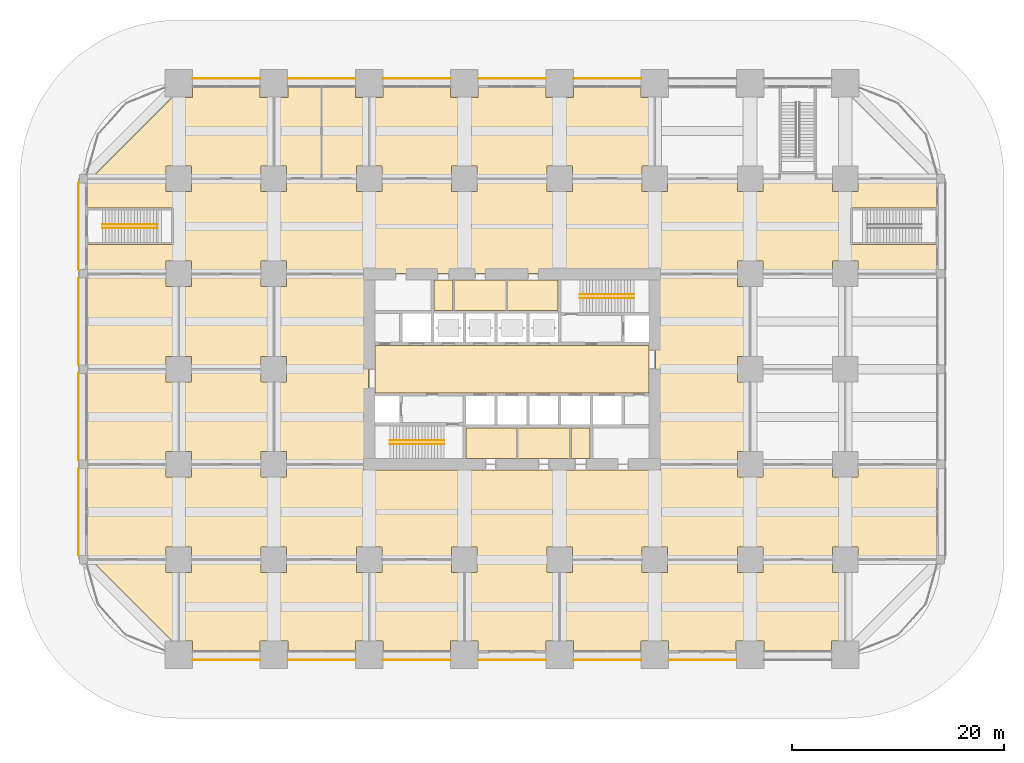
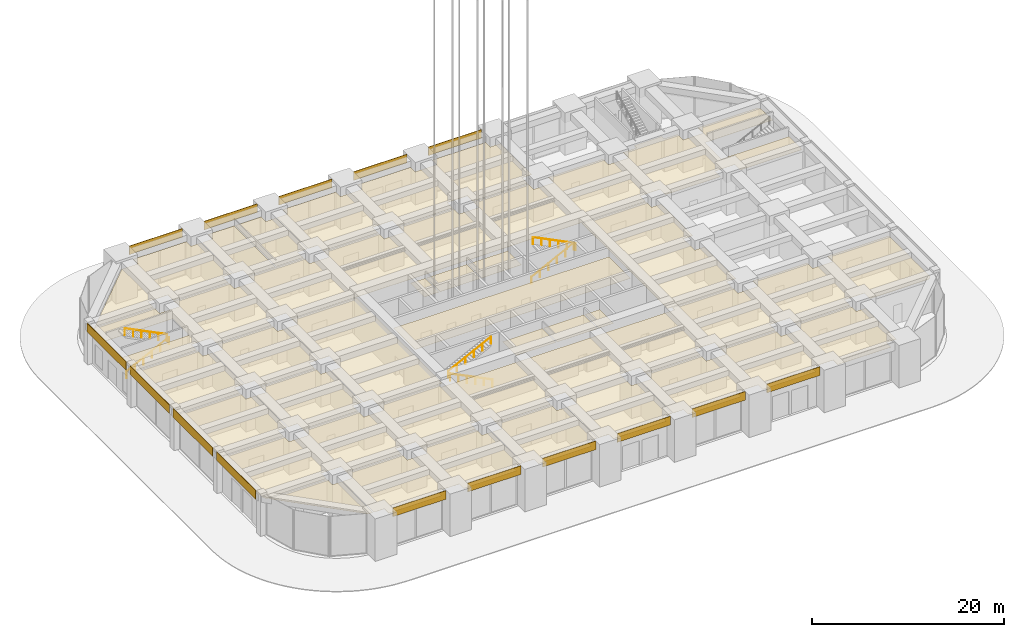
# One storey, part 46 of 56: 38 coverings, 6 railings.
"""IFC4 building model written with IfcOpenShell, lengths in metres."""

import ifcopenshell
import ifcopenshell.guid

model = None  # the IFC model being written
_history = None  # IfcOwnerHistory: only IFC2X3 demands one
_inside = {}  # id of a spatial element -> (the spatial element, [elements in it])
_under = {}  # id of a project, library or spatial element -> (it, [spatial elements below it])
_declared = {}  # id of a project -> (the project, [libraries it declares])
_typed = {}  # id of a type object -> (the type object, [elements of that type])
_made_of = {}  # id of a material, layer set ... -> (it, [elements and type objects made of it])


def new_model(schema):
    """Start an empty IFC model of exactly this schema.

    Asked for "IFC4X3", IfcOpenShell would pick the latest addendum, in which some entities
    have other attributes; the version numbers below select the first issue.
    IFC2X3 requires an IfcOwnerHistory on every rooted entity: one is made here for all.
    """
    global model, _history
    if schema == "IFC4X3":
        model = ifcopenshell.file(schema_version=(4, 3, 0, 0))
    else:
        model = ifcopenshell.file(schema=schema)
    _inside.clear()
    _under.clear()
    _declared.clear()
    _typed.clear()
    _made_of.clear()
    _history = None
    if model.schema == "IFC2X3":
        org = make("IfcOrganization", Name="unknown")
        user = make(
            "IfcPersonAndOrganization",
            ThePerson=make("IfcPerson", FamilyName="unknown"),
            TheOrganization=org,
        )
        app = make(
            "IfcApplication",
            ApplicationDeveloper=org,
            Version="unknown",
            ApplicationFullName="unknown",
            ApplicationIdentifier="unknown",
        )
        _history = make(
            "IfcOwnerHistory",
            OwningUser=user,
            OwningApplication=app,
            ChangeAction="ADDED",
            CreationDate=0,
        )
    return model


def make(cls, **values):
    """One entity of the class cls with the attributes given. An attribute that is None is left unset."""
    return model.create_entity(
        cls, **{name: value for name, value in values.items() if value is not None}
    )


def rooted(cls, **values):
    """An entity with a GlobalId (a new one), such as an element, a storey or a relation."""
    return make(cls, GlobalId=ifcopenshell.guid.new(), OwnerHistory=_history, **values)


def si_unit(unit_type, name, prefix=None):
    """IfcSIUnit, for example si_unit("LENGTHUNIT", "METRE", prefix="MILLI")."""
    return make("IfcSIUnit", UnitType=unit_type, Prefix=prefix, Name=name)


def assignment(units):
    """IfcUnitAssignment: the units of a project."""
    return None if units is None else make("IfcUnitAssignment", Units=units)


def point(xyz):
    """IfcCartesianPoint."""
    return None if xyz is None else make("IfcCartesianPoint", Coordinates=xyz)


def direction(xyz):
    """IfcDirection."""
    return None if xyz is None else make("IfcDirection", DirectionRatios=xyz)


def frame(location, z_axis=None, x_axis=None):
    """IfcAxis2Placement3D, a coordinate frame: its origin and axes. An axis left out is left unset."""
    return make(
        "IfcAxis2Placement3D",
        Location=point(location),
        Axis=direction(z_axis),
        RefDirection=direction(x_axis),
    )


def frame_2d(location, x_axis=None):
    """IfcAxis2Placement2D, a coordinate frame in the plane: its origin and x axis."""
    return make(
        "IfcAxis2Placement2D", Location=point(location), RefDirection=direction(x_axis)
    )


def origin():
    """The frame at (0, 0, 0) with its axes left unset."""
    return frame((0.0, 0.0, 0.0))


def origin_2d():
    """The frame at (0, 0) in the plane with its x axis left unset."""
    return frame_2d((0.0, 0.0))


def place(relative_to, where):
    """IfcLocalPlacement: puts the frame where relative to a parent placement (None: the world)."""
    return make(
        "IfcLocalPlacement", PlacementRelTo=relative_to, RelativePlacement=where
    )


def context(
    kind, dimensions, precision=None, world=None, true_north=None, identifier=None
):
    """IfcGeometricRepresentationContext, for example the 3D "Model" context."""
    return make(
        "IfcGeometricRepresentationContext",
        ContextIdentifier=identifier,
        ContextType=kind,
        CoordinateSpaceDimension=dimensions,
        Precision=precision,
        WorldCoordinateSystem=world,
        TrueNorth=true_north,
    )


def subcontext(parent, identifier, kind, view, scale=None):
    """IfcGeometricRepresentationSubContext, for example "Body" below "Model"."""
    return make(
        "IfcGeometricRepresentationSubContext",
        ContextIdentifier=identifier,
        ContextType=kind,
        ParentContext=parent,
        TargetScale=scale,
        TargetView=view,
    )


def project(units=None, contexts=None):
    """IfcProject with its units and contexts."""
    return rooted(
        "IfcProject",
        Name="project",
        RepresentationContexts=contexts,
        UnitsInContext=assignment(units),
    )


def spatial(cls, under=None, at=None, **own):
    """A site, building, storey or space (cls), placed at a placement, below another one or the project."""
    s = rooted(cls, ObjectPlacement=at, **own)
    if under is not None:
        _under.setdefault(under.id(), (under, []))[1].append(s)
    return s


def polyline(points):
    """IfcPolyline through the points."""
    return make("IfcPolyline", Points=[point(p) for p in points])


def profile(cls, at=None, kind="AREA", **sizes):
    """A parametric profile (cls). Its sizes go by their IFC names, for example OverallWidth=200.0."""
    return make(cls, ProfileType=kind, Position=at, **sizes)


def rectangle(**sizes):
    """IfcRectangleProfileDef."""
    return profile("IfcRectangleProfileDef", **sizes)


def circle(**sizes):
    """IfcCircleProfileDef."""
    return profile("IfcCircleProfileDef", **sizes)


def outline(outer, holes=None, kind="AREA"):
    """IfcArbitraryClosedProfileDef: a profile drawn as a closed curve; with holes, ...WithVoids."""
    if holes is None:
        return make("IfcArbitraryClosedProfileDef", ProfileType=kind, OuterCurve=outer)
    return make(
        "IfcArbitraryProfileDefWithVoids",
        ProfileType=kind,
        OuterCurve=outer,
        InnerCurves=holes,
    )


def extrude(swept, where, along, depth):
    """IfcExtrudedAreaSolid: the profile swept, set in the frame where, extruded along a direction by depth."""
    return make(
        "IfcExtrudedAreaSolid",
        SweptArea=swept,
        Position=where,
        ExtrudedDirection=direction(along),
        Depth=depth,
    )


def shape(context_of_items, identifier, shape_type, items):
    """IfcShapeRepresentation: the items that make up one representation, for example the "Body"."""
    return make(
        "IfcShapeRepresentation",
        ContextOfItems=context_of_items,
        RepresentationIdentifier=identifier,
        RepresentationType=shape_type,
        Items=items,
    )


def material(Name=None, Category=None):
    """IfcMaterial."""
    return make("IfcMaterial", Name=Name, Category=Category)


def layer(
    of_material, thickness, ventilated=None, Name=None, Category=None, Priority=None
):
    """IfcMaterialLayer: one layer of a wall or slab, of a material (None: an air gap)."""
    return make(
        "IfcMaterialLayer",
        Material=of_material,
        LayerThickness=thickness,
        IsVentilated=ventilated,
        Name=Name,
        Category=Category,
        Priority=Priority,
    )


def layer_set(layers, Name=None):
    """IfcMaterialLayerSet."""
    return make("IfcMaterialLayerSet", MaterialLayers=layers, LayerSetName=Name)


def made_of(thing, what):
    """Note that an element or type object is made of a material, layer set ...; save() writes the relation."""
    if what is not None:
        _made_of.setdefault(what.id(), (what, []))[1].append(thing)
    return thing


def type_object(cls, material=None, **own):
    """A type object (cls), such as IfcWallType, which elements share."""
    return made_of(rooted(cls, **own), material)


def element(
    cls,
    number,
    at=None,
    inside=None,
    cuts=None,
    type_object=None,
    material=None,
    context=None,
    identifier="Body",
    shape_type=None,
    held_by="IfcProductDefinitionShape",
    body=None,
    shapes=None,
    **own,
):
    """One element of the class cls, such as IfcWall. Its Tag is "e" and its number.

    at: its placement. inside: the storey or other place that contains it. cuts: it is an
    opening in that element (IfcRelVoidsElement). A single representation is given by context,
    identifier, shape_type and body (its items); several are given by shapes. held_by: the class
    of the entity that holds the representations. save() writes the other relations.
    """
    e = rooted(cls, Tag="e%d" % number, ObjectPlacement=at, **own)
    if body is not None:
        shapes = [shape(context, identifier, shape_type, body)]
    if shapes is not None:
        e.Representation = make(held_by, Representations=shapes)
    if inside is not None:
        _inside.setdefault(inside.id(), (inside, []))[1].append(e)
    if cuts is not None:
        rooted(
            "IfcRelVoidsElement", RelatingBuildingElement=cuts, RelatedOpeningElement=e
        )
    if type_object is not None:
        _typed.setdefault(type_object.id(), (type_object, []))[1].append(e)
    return made_of(e, material)


def aggregate(whole, parts):
    """IfcRelAggregates: a whole, such as a stair, and the parts it consists of."""
    return rooted("IfcRelAggregates", RelatingObject=whole, RelatedObjects=parts)


def save(model, path):
    """Write the relations noted so far, then the file.

    IfcRelAggregates (storeys below a building ...), IfcRelContainedInSpatialStructure (elements
    in a storey), IfcRelDefinesByType, IfcRelAssociatesMaterial and IfcRelDeclares: one each for
    every whole, place, type object, material and project.
    """
    for whole, parts in _under.values():
        aggregate(whole, parts)
    for where, things in _inside.values():
        rooted(
            "IfcRelContainedInSpatialStructure",
            RelatedElements=things,
            RelatingStructure=where,
        )
    for kind, things in _typed.values():
        rooted("IfcRelDefinesByType", RelatedObjects=things, RelatingType=kind)
    for what, things in _made_of.values():
        rooted("IfcRelAssociatesMaterial", RelatedObjects=things, RelatingMaterial=what)
    for by, libraries in _declared.values():
        rooted("IfcRelDeclares", RelatingContext=by, RelatedDefinitions=libraries)
    model.write(path)


model = new_model("IFC4")

# Units and contexts
model_context = context("Model", 3, precision=1e-05, world=origin(), true_north=direction((0.0, 1.0)))
body_context = subcontext(model_context, "Body", "Model", "MODEL_VIEW")
ifc_project = project(units=[si_unit("LENGTHUNIT", "METRE"), si_unit("AREAUNIT", "SQUARE_METRE"), si_unit("VOLUMEUNIT", "CUBIC_METRE"), si_unit("PLANEANGLEUNIT", "RADIAN"), si_unit("MASSUNIT", "GRAM", prefix="KILO")], contexts=[model_context])

# Site, building, storey
site_placement = place(None, origin())
site = spatial("IfcSite", under=ifc_project, at=site_placement, CompositionType="ELEMENT")
building_placement = place(site_placement, origin())
building = spatial("IfcBuilding", under=site, at=building_placement, Name="Zorevar Civic Tower", CompositionType="ELEMENT")
storey_placement = place(building_placement, origin())
storey = spatial("IfcBuildingStorey", under=building, at=storey_placement, Name="L00", CompositionType="ELEMENT", Elevation=0.0)

# Coverings
ifc_material_1 = material(Name="Perforated black aluminium acoustic panels", Category="aluminium")
ifc_layer_1 = layer(ifc_material_1, 0.0400390625)
ifc_layer_set_1 = layer_set([ifc_layer_1], Name="Acoustic ceiling SC2")
covering_type_1 = type_object("IfcCoveringType", Name="Acoustic ceiling SC2", PredefinedType="CEILING", material=ifc_layer_set_1)
covering_1_placement = place(storey_placement, frame((0.0, 0.0, 4.199951171875)))
element("IfcCovering", 1, at=covering_1_placement, inside=storey, type_object=covering_type_1, Name="Ceiling L00-23", PredefinedType="CEILING", context=body_context, shape_type="SweptSolid", body=[
    extrude(outline(polyline([(17.93994140625, 35.93994140625), (17.93994140625, 18.06005859375), (10.2099609375, 18.06005859375), (10.2099609375, 19.2099609375), (9.06005859375, 19.2099609375), (9.06005859375, 25.7900390625), (10.2099609375, 25.7900390625), (10.2099609375, 28.2099609375), (9.06005859375, 28.2099609375), (9.06005859375, 34.7900390625), (10.2099609375, 34.7900390625), (10.2099609375, 35.93994140625), (17.93994140625, 35.93994140625)])), origin(), (0.0, 0.0, 1.0), 0.0400390625),
])
covering_2_placement = place(storey_placement, frame((0.0, 0.0, 4.199951171875)))
element("IfcCovering", 2, at=covering_2_placement, inside=storey, type_object=covering_type_1, Name="Ceiling L00-24", PredefinedType="CEILING", context=body_context, shape_type="SweptSolid", body=[
    extrude(outline(polyline([(52.7900390625, 19.2099609375), (52.7900390625, 18.06005859375), (45.06005859375, 18.06005859375), (45.06005859375, 35.93994140625), (52.7900390625, 35.93994140625), (52.7900390625, 34.7900390625), (53.93994140625, 34.7900390625), (53.93994140625, 28.2099609375), (52.7900390625, 28.2099609375), (52.7900390625, 25.7900390625), (53.93994140625, 25.7900390625), (53.93994140625, 19.2099609375), (52.7900390625, 19.2099609375)])), origin(), (0.0, 0.0, 1.0), 0.0400390625),
])
covering_3_placement = place(storey_placement, frame((0.0, 0.0, 4.199951171875)))
element("IfcCovering", 3, at=covering_3_placement, inside=storey, type_object=covering_type_1, Name="Ceiling L00-31", PredefinedType="CEILING", context=body_context, shape_type="SweptSolid", body=[
    extrude(outline(polyline([(44.93994140625, 46.2099609375), (43.7900390625, 46.2099609375), (43.7900390625, 45.06005859375), (37.2099609375, 45.06005859375), (37.2099609375, 46.2099609375), (34.7900390625, 46.2099609375), (34.7900390625, 45.06005859375), (28.2099609375, 45.06005859375), (28.2099609375, 46.2099609375), (25.7900390625, 46.2099609375), (25.7900390625, 45.06005859375), (19.2099609375, 45.06005859375), (19.2099609375, 46.2099609375), (18.06005859375, 46.2099609375), (18.06005859375, 52.68994140625), (19.31005859375, 52.68994140625), (19.31005859375, 53.64990234375), (25.68994140625, 53.64990234375), (25.68994140625, 52.68994140625), (28.31005859375, 52.68994140625), (28.31005859375, 53.64990234375), (34.68994140625, 53.64990234375), (34.68994140625, 52.68994140625), (37.31005859375, 52.68994140625), (37.31005859375, 53.64990234375), (43.68994140625, 53.64990234375), (43.68994140625, 52.68994140625), (44.93994140625, 52.68994140625), (44.93994140625, 46.2099609375)])), origin(), (0.0, 0.0, 1.0), 0.0400390625),
])
covering_4_placement = place(storey_placement, frame((0.0, 0.0, 4.199951171875)))
element("IfcCovering", 4, at=covering_4_placement, inside=storey, type_object=covering_type_1, Name="Ceiling L00-40", PredefinedType="CEILING", context=body_context, shape_type="SweptSolid", body=[
    extrude(outline(polyline([(71.590087890625, 9.297119140625), (71.352783203125, 9.06005859375), (64.2099609375, 9.06005859375), (64.2099609375, 10.2099609375), (61.7900390625, 10.2099609375), (61.7900390625, 9.06005859375), (55.2099609375, 9.06005859375), (55.2099609375, 10.2099609375), (52.7900390625, 10.2099609375), (52.7900390625, 9.06005859375), (46.2099609375, 9.06005859375), (46.2099609375, 10.2099609375), (43.7900390625, 10.2099609375), (43.7900390625, 9.06005859375), (37.2099609375, 9.06005859375), (37.2099609375, 10.2099609375), (34.7900390625, 10.2099609375), (34.7900390625, 7.7900390625), (35.93994140625, 7.7900390625), (35.93994140625, 1.31005859375), (34.68994140625, 1.31005859375), (34.68994140625, 0.35009765625), (28.31005859375, 0.35009765625), (28.31005859375, 1.31005859375), (27.06005859375, 1.31005859375), (27.06005859375, 7.7900390625), (28.2099609375, 7.7900390625), (28.2099609375, 10.2099609375), (25.7900390625, 10.2099609375), (25.7900390625, 9.06005859375), (19.2099609375, 9.06005859375), (19.2099609375, 10.2099609375), (16.7900390625, 10.2099609375), (16.7900390625, 9.06005859375), (10.2099609375, 9.06005859375), (10.2099609375, 10.2099609375), (7.7900390625, 10.2099609375), (7.7900390625, 9.06005859375), (1.2099609375, 9.06005859375), (1.2099609375, 10.2099609375), (-1.2099609375, 10.2099609375), (-1.2099609375, 9.06005859375), (-8.352783203125, 9.06005859375), (-8.590087890625, 9.297119140625), (-8.590087890625, 9.409912109375), (-8.64990234375, 9.409912109375), (-8.64990234375, 17.590087890625), (-8.590087890625, 17.590087890625), (-8.590087890625, 17.93994140625), (-1.2099609375, 17.93994140625), (-1.2099609375, 16.7900390625), (1.2099609375, 16.7900390625), (1.2099609375, 17.93994140625), (7.7900390625, 17.93994140625), (7.7900390625, 16.7900390625), (10.2099609375, 16.7900390625), (10.2099609375, 17.93994140625), (17.449951171875, 17.93994140625), (17.449951171875, 17.449951171875), (45.550048828125, 17.449951171875), (45.550048828125, 17.93994140625), (52.7900390625, 17.93994140625), (52.7900390625, 16.7900390625), (55.2099609375, 16.7900390625), (55.2099609375, 17.93994140625), (61.7900390625, 17.93994140625), (61.7900390625, 16.7900390625), (64.2099609375, 16.7900390625), (64.2099609375, 17.93994140625), (71.590087890625, 17.93994140625), (71.590087890625, 17.590087890625), (71.64990234375, 17.590087890625), (71.64990234375, 9.409912109375), (71.590087890625, 9.409912109375), (71.590087890625, 9.297119140625)])), origin(), (0.0, 0.0, 1.0), 0.0400390625),
])

# Railings
ifc_material_2 = material(Name="Black steel handrail", Category="steel")
railing_type = type_object("IfcRailingType", Name="Handrail HR1 900", PredefinedType="HANDRAIL", material=ifc_material_2)
railing_1_placement = place(storey_placement, frame((25.080078125, 19.925048828125, 0.14990234375)))
element("IfcRailing", 5, at=railing_1_placement, inside=storey, type_object=railing_type, Name="Handrail HR1 ST1 L00", PredefinedType="HANDRAIL", context=body_context, shape_type="SweptSolid", body=[
    extrude(circle(Radius=0.02392578125, at=origin_2d()), frame((0.0, 0.0, 0.8759765625), z_axis=(-0.894427191, 0.0, 0.4472135955), x_axis=(0.0, -1.0, 0.0)), (0.0, 0.0, 1.0), 5.7021484375),
    extrude(circle(Radius=0.02099609375, at=origin_2d()), origin(), (0.0, 0.0, 1.0), 0.851806640625),
    extrude(circle(Radius=0.02099609375, at=origin_2d()), frame((-1.02001953125, 0.0, 0.510009765625)), (0.0, 0.0, 1.0), 0.851806640625),
    extrude(circle(Radius=0.02099609375, at=origin_2d()), frame((-2.0400390625, 0.0, 1.02001953125)), (0.0, 0.0, 1.0), 0.851806640625),
    extrude(circle(Radius=0.02099609375, at=origin_2d()), frame((-3.06005859375, 0.0, 1.530029296875)), (0.0, 0.0, 1.0), 0.851806640625),
    extrude(circle(Radius=0.02099609375, at=origin_2d()), frame((-4.080078125, 0.0, 2.0400390625)), (0.0, 0.0, 1.0), 0.851806640625),
    extrude(circle(Radius=0.02099609375, at=origin_2d()), frame((-5.10009765625, 0.0, 2.550048828125)), (0.0, 0.0, 1.0), 0.851806640625),
])
railing_2_placement = place(storey_placement, frame((19.97998046875, 20.27490234375, 2.85009765625)))
element("IfcRailing", 6, at=railing_2_placement, inside=storey, type_object=railing_type, Name="Handrail HR1 ST1 L00", PredefinedType="HANDRAIL", context=body_context, shape_type="SweptSolid", body=[
    extrude(circle(Radius=0.02392578125, at=origin_2d()), frame((0.0, 0.0, 0.8759765625), z_axis=(0.89444431709, 0.0, 0.44717934168), x_axis=(0.0, 1.0, 0.0)), (0.0, 0.0, 1.0), 5.701904296875),
    extrude(circle(Radius=0.02099609375, at=origin_2d()), origin(), (0.0, 0.0, 1.0), 0.851806640625),
    extrude(circle(Radius=0.02099609375, at=origin_2d()), frame((1.02001953125, 0.0, 0.510009765625)), (0.0, 0.0, 1.0), 0.851806640625),
    extrude(circle(Radius=0.02099609375, at=origin_2d()), frame((2.0400390625, 0.0, 1.02001953125)), (0.0, 0.0, 1.0), 0.851806640625),
    extrude(circle(Radius=0.02099609375, at=origin_2d()), frame((3.06005859375, 0.0, 1.52978515625)), (0.0, 0.0, 1.0), 0.851806640625),
    extrude(circle(Radius=0.02099609375, at=origin_2d()), frame((4.080078125, 0.0, 2.039794921875)), (0.0, 0.0, 1.0), 0.851806640625),
    extrude(circle(Radius=0.02099609375, at=origin_2d()), frame((5.10009765625, 0.0, 2.5498046875)), (0.0, 0.0, 1.0), 0.851806640625),
])
railing_3_placement = place(storey_placement, frame((37.919921875, 34.074951171875, 0.14990234375)))
element("IfcRailing", 7, at=railing_3_placement, inside=storey, type_object=railing_type, Name="Handrail HR1 ST2 L00", PredefinedType="HANDRAIL", context=body_context, shape_type="SweptSolid", body=[
    extrude(circle(Radius=0.02392578125, at=origin_2d()), frame((0.0, 0.0, 0.8759765625), z_axis=(0.894427191, 0.0, 0.4472135955), x_axis=(0.0, 1.0, 0.0)), (0.0, 0.0, 1.0), 5.7021484375),
    extrude(circle(Radius=0.02099609375, at=origin_2d()), origin(), (0.0, 0.0, 1.0), 0.851806640625),
    extrude(circle(Radius=0.02099609375, at=origin_2d()), frame((1.02001953125, 0.0, 0.510009765625)), (0.0, 0.0, 1.0), 0.851806640625),
    extrude(circle(Radius=0.02099609375, at=origin_2d()), frame((2.0400390625, 0.0, 1.02001953125)), (0.0, 0.0, 1.0), 0.851806640625),
    extrude(circle(Radius=0.02099609375, at=origin_2d()), frame((3.06005859375, 0.0, 1.530029296875)), (0.0, 0.0, 1.0), 0.851806640625),
    extrude(circle(Radius=0.02099609375, at=origin_2d()), frame((4.080078125, 0.0, 2.0400390625)), (0.0, 0.0, 1.0), 0.851806640625),
    extrude(circle(Radius=0.02099609375, at=origin_2d()), frame((5.10009765625, 0.0, 2.550048828125)), (0.0, 0.0, 1.0), 0.851806640625),
])
railing_4_placement = place(storey_placement, frame((43.02001953125, 33.72509765625, 2.85009765625)))
element("IfcRailing", 8, at=railing_4_placement, inside=storey, type_object=railing_type, Name="Handrail HR1 ST2 L00", PredefinedType="HANDRAIL", context=body_context, shape_type="SweptSolid", body=[
    extrude(circle(Radius=0.02392578125, at=origin_2d()), frame((0.0, 0.0, 0.8759765625), z_axis=(-0.89444431709, 0.0, 0.44717934168), x_axis=(0.0, -1.0, 0.0)), (0.0, 0.0, 1.0), 5.701904296875),
    extrude(circle(Radius=0.02099609375, at=origin_2d()), origin(), (0.0, 0.0, 1.0), 0.851806640625),
    extrude(circle(Radius=0.02099609375, at=origin_2d()), frame((-1.02001953125, 0.0, 0.510009765625)), (0.0, 0.0, 1.0), 0.851806640625),
    extrude(circle(Radius=0.02099609375, at=origin_2d()), frame((-2.0400390625, 0.0, 1.02001953125)), (0.0, 0.0, 1.0), 0.851806640625),
    extrude(circle(Radius=0.02099609375, at=origin_2d()), frame((-3.06005859375, 0.0, 1.52978515625)), (0.0, 0.0, 1.0), 0.851806640625),
    extrude(circle(Radius=0.02099609375, at=origin_2d()), frame((-4.080078125, 0.0, 2.039794921875)), (0.0, 0.0, 1.0), 0.851806640625),
    extrude(circle(Radius=0.02099609375, at=origin_2d()), frame((-5.10009765625, 0.0, 2.5498046875)), (0.0, 0.0, 1.0), 0.851806640625),
])
railing_5_placement = place(storey_placement, frame((-7.199951171875, 40.324951171875, 0.14990234375)))
element("IfcRailing", 9, at=railing_5_placement, inside=storey, type_object=railing_type, Name="Handrail HR1 PS1 L00", PredefinedType="HANDRAIL", context=body_context, shape_type="SweptSolid", body=[
    extrude(circle(Radius=0.02392578125, at=origin_2d()), frame((0.0, 0.0, 0.8759765625), z_axis=(0.894418627299, 0.0, 0.447230722492), x_axis=(0.0, 1.0, 0.0)), (0.0, 0.0, 1.0), 5.701904296875),
    extrude(circle(Radius=0.02099609375, at=origin_2d()), origin(), (0.0, 0.0, 1.0), 0.851806640625),
    extrude(circle(Radius=0.02099609375, at=origin_2d()), frame((1.02001953125, 0.0, 0.510009765625)), (0.0, 0.0, 1.0), 0.851806640625),
    extrude(circle(Radius=0.02099609375, at=origin_2d()), frame((2.0400390625, 0.0, 1.02001953125)), (0.0, 0.0, 1.0), 0.851806640625),
    extrude(circle(Radius=0.02099609375, at=origin_2d()), frame((3.059814453125, 0.0, 1.530029296875)), (0.0, 0.0, 1.0), 0.851806640625),
    extrude(circle(Radius=0.02099609375, at=origin_2d()), frame((4.079833984375, 0.0, 2.0400390625)), (0.0, 0.0, 1.0), 0.851806640625),
    extrude(circle(Radius=0.02099609375, at=origin_2d()), frame((5.099853515625, 0.0, 2.550048828125)), (0.0, 0.0, 1.0), 0.851806640625),
])
railing_6_placement = place(storey_placement, frame((-2.10009765625, 40.675048828125, 2.85009765625)))
element("IfcRailing", 10, at=railing_6_placement, inside=storey, type_object=railing_type, Name="Handrail HR1 PS1 L00", PredefinedType="HANDRAIL", context=body_context, shape_type="SweptSolid", body=[
    extrude(circle(Radius=0.02392578125, at=origin_2d()), frame((0.0, 0.0, 0.8759765625), z_axis=(-0.894435754537, 0.0, 0.447196468016), x_axis=(0.0, -1.0, 0.0)), (0.0, 0.0, 1.0), 5.70166015625),
    extrude(circle(Radius=0.02099609375, at=origin_2d()), origin(), (0.0, 0.0, 1.0), 0.851806640625),
    extrude(circle(Radius=0.02099609375, at=origin_2d()), frame((-1.02001953125, 0.0, 0.510009765625)), (0.0, 0.0, 1.0), 0.851806640625),
    extrude(circle(Radius=0.02099609375, at=origin_2d()), frame((-2.0400390625, 0.0, 1.02001953125)), (0.0, 0.0, 1.0), 0.851806640625),
    extrude(circle(Radius=0.02099609375, at=origin_2d()), frame((-3.059814453125, 0.0, 1.52978515625)), (0.0, 0.0, 1.0), 0.851806640625),
    extrude(circle(Radius=0.02099609375, at=origin_2d()), frame((-4.079833984375, 0.0, 2.039794921875)), (0.0, 0.0, 1.0), 0.851806640625),
    extrude(circle(Radius=0.02099609375, at=origin_2d()), frame((-5.099853515625, 0.0, 2.5498046875)), (0.0, 0.0, 1.0), 0.851806640625),
])

# Coverings
ifc_material_3 = material(Name="Moisture-resistant gypsum board")
ifc_layer_2 = layer(ifc_material_3, 0.012451171875)
ifc_layer_set_2 = layer_set([ifc_layer_2], Name="Moisture-resistant ceiling SC3")
covering_type_2 = type_object("IfcCoveringType", Name="Moisture-resistant ceiling SC3", PredefinedType="CEILING", material=ifc_layer_set_2)
covering_5_placement = place(storey_placement, frame((0.0, 0.0, 4.199951171875)))
element("IfcCovering", 11, at=covering_5_placement, inside=storey, type_object=covering_type_2, Name="Ceiling L00-05", PredefinedType="CEILING", context=body_context, shape_type="SweptSolid", body=[
    extrude(outline(polyline([(31.925048828125, 18.550048828125), (31.925048828125, 21.449951171875), (27.14990234375, 21.449951171875), (27.14990234375, 18.550048828125), (31.925048828125, 18.550048828125)])), origin(), (0.0, 0.0, 1.0), 0.012451171875),
])
covering_6_placement = place(storey_placement, frame((0.0, 0.0, 4.199951171875)))
element("IfcCovering", 12, at=covering_6_placement, inside=storey, type_object=covering_type_2, Name="Ceiling L00-06", PredefinedType="CEILING", context=body_context, shape_type="SweptSolid", body=[
    extrude(outline(polyline([(35.85009765625, 32.550048828125), (35.85009765625, 35.449951171875), (31.074951171875, 35.449951171875), (31.074951171875, 32.550048828125), (35.85009765625, 32.550048828125)])), origin(), (0.0, 0.0, 1.0), 0.012451171875),
])
covering_7_placement = place(storey_placement, frame((0.0, 0.0, 4.199951171875)))
element("IfcCovering", 13, at=covering_7_placement, inside=storey, type_object=covering_type_2, Name="Ceiling L00-07", PredefinedType="CEILING", context=body_context, shape_type="SweptSolid", body=[
    extrude(outline(polyline([(36.925048828125, 18.550048828125), (36.925048828125, 21.449951171875), (32.074951171875, 21.449951171875), (32.074951171875, 18.550048828125), (36.925048828125, 18.550048828125)])), origin(), (0.0, 0.0, 1.0), 0.012451171875),
])
covering_8_placement = place(storey_placement, frame((0.0, 0.0, 4.199951171875)))
element("IfcCovering", 14, at=covering_8_placement, inside=storey, type_object=covering_type_2, Name="Ceiling L00-08", PredefinedType="CEILING", context=body_context, shape_type="SweptSolid", body=[
    extrude(outline(polyline([(30.925048828125, 32.550048828125), (30.925048828125, 35.449951171875), (26.074951171875, 35.449951171875), (26.074951171875, 32.550048828125), (30.925048828125, 32.550048828125)])), origin(), (0.0, 0.0, 1.0), 0.012451171875),
])
covering_9_placement = place(storey_placement, frame((0.0, 0.0, 4.199951171875)))
element("IfcCovering", 15, at=covering_9_placement, inside=storey, type_object=covering_type_2, Name="Ceiling L00-09", PredefinedType="CEILING", context=body_context, shape_type="SweptSolid", body=[
    extrude(outline(polyline([(38.85009765625, 18.550048828125), (38.85009765625, 21.449951171875), (37.074951171875, 21.449951171875), (37.074951171875, 18.550048828125), (38.85009765625, 18.550048828125)])), origin(), (0.0, 0.0, 1.0), 0.012451171875),
])
covering_10_placement = place(storey_placement, frame((0.0, 0.0, 4.199951171875)))
element("IfcCovering", 16, at=covering_10_placement, inside=storey, type_object=covering_type_2, Name="Ceiling L00-10", PredefinedType="CEILING", context=body_context, shape_type="SweptSolid", body=[
    extrude(outline(polyline([(25.925048828125, 32.550048828125), (25.925048828125, 35.449951171875), (24.14990234375, 35.449951171875), (24.14990234375, 32.550048828125), (25.925048828125, 32.550048828125)])), origin(), (0.0, 0.0, 1.0), 0.012451171875),
])
ifc_material_4 = material(Name="Black anodised aluminium spandrel panel", Category="aluminium")
ifc_layer_3 = layer(ifc_material_4, 0.050048828125)
ifc_layer_set_3 = layer_set([ifc_layer_3], Name="Spandrel cladding SP1")
covering_type_3 = type_object("IfcCoveringType", Name="Spandrel cladding SP1", PredefinedType="CLADDING", material=ifc_layer_set_3)
for number, where, z_axis, x_axis, name in (
    (17, (1.300048828125, -0.47509765625, 4.300048828125), (0.0, 0.0, 1.0), (1.0, 0.0, 0.0), "Spandrel cladding L01"),
    (18, (10.300048828125, -0.47509765625, 4.300048828125), (0.0, 0.0, 1.0), (1.0, 0.0, 0.0), "Spandrel cladding L01"),
    (19, (19.300048828125, -0.47509765625, 4.300048828125), (0.0, 0.0, 1.0), (1.0, 0.0, 0.0), "Spandrel cladding L01"),
    (20, (28.300048828125, -0.47509765625, 4.300048828125), (0.0, 0.0, 1.0), (1.0, 0.0, 0.0), "Spandrel cladding L01"),
    (21, (37.300048828125, -0.47509765625, 4.300048828125), (0.0, 0.0, 1.0), (1.0, 0.0, 0.0), "Spandrel cladding L01"),
    (22, (46.300048828125, -0.47509765625, 4.300048828125), (0.0, 0.0, 1.0), (1.0, 0.0, 0.0), "Spandrel cladding L01"),
    (23, (1.300048828125, 54.47509765625, 4.300048828125), (0.0, 0.0, 1.0), (1.0, 0.0, 0.0), "Spandrel cladding L01"),
    (24, (10.300048828125, 54.47509765625, 4.300048828125), (0.0, 0.0, 1.0), (1.0, 0.0, 0.0), "Spandrel cladding L01"),
    (25, (19.300048828125, 54.47509765625, 4.300048828125), (0.0, 0.0, 1.0), (1.0, 0.0, 0.0), "Spandrel cladding L01"),
    (26, (28.300048828125, 54.47509765625, 4.300048828125), (0.0, 0.0, 1.0), (1.0, 0.0, 0.0), "Spandrel cladding L01"),
    (27, (37.300048828125, 54.47509765625, 4.300048828125), (0.0, 0.0, 1.0), (1.0, 0.0, 0.0), "Spandrel cladding L01"),
):
    element("IfcCovering", number, at=place(storey_placement, frame(where, z_axis=z_axis, x_axis=x_axis)), inside=storey, type_object=covering_type_3, Name=name, PredefinedType="CLADDING", context=body_context, shape_type="SweptSolid", body=[
        extrude(rectangle(XDim=6.39990234375, YDim=0.050048828125, at=frame_2d((3.199951171875, 0.0))), origin(), (0.0, 0.0, 1.0), 1.099853515625),
    ])
for number, where, z_axis, x_axis, name in (
    (28, (-9.47509765625, 9.39990234375, 4.300048828125), (0.0, 0.0, 1.0), (0.0, 1.0, 0.0), "Spandrel cladding L01"),
    (29, (-9.47509765625, 18.39990234375, 4.300048828125), (0.0, 0.0, 1.0), (0.0, 1.0, 0.0), "Spandrel cladding L01"),
    (30, (-9.47509765625, 27.39990234375, 4.300048828125), (0.0, 0.0, 1.0), (0.0, 1.0, 0.0), "Spandrel cladding L01"),
    (31, (-9.47509765625, 36.39990234375, 4.300048828125), (0.0, 0.0, 1.0), (0.0, 1.0, 0.0), "Spandrel cladding L01"),
):
    element("IfcCovering", number, at=place(storey_placement, frame(where, z_axis=z_axis, x_axis=x_axis)), inside=storey, type_object=covering_type_3, Name=name, PredefinedType="CLADDING", context=body_context, shape_type="SweptSolid", body=[
        extrude(rectangle(XDim=8.2001953125, YDim=0.050048828125, at=frame_2d((4.10009765625, 0.0))), origin(), (0.0, 0.0, 1.0), 1.099853515625),
    ])
ifc_material_5 = material(Name="Mineral fibre tiles on a concealed grid")
ifc_layer_4 = layer(ifc_material_5, 0.02001953125)
ifc_layer_set_4 = layer_set([ifc_layer_4], Name="Suspended ceiling SC1")
covering_type_4 = type_object("IfcCoveringType", Name="Suspended ceiling SC1", PredefinedType="CEILING", material=ifc_layer_set_4)
covering_11_placement = place(storey_placement, frame((0.0, 0.0, 4.199951171875)))
element("IfcCovering", 32, at=covering_11_placement, inside=storey, type_object=covering_type_4, Name="Ceiling L00-15", PredefinedType="CEILING", context=body_context, shape_type="SweptSolid", body=[
    extrude(outline(polyline([(44.449951171875, 24.75), (44.449951171875, 29.25), (18.550048828125, 29.25), (18.550048828125, 24.75), (44.449951171875, 24.75)])), origin(), (0.0, 0.0, 1.0), 0.02001953125),
])
covering_12_placement = place(storey_placement, frame((0.0, 0.0, 4.199951171875)))
element("IfcCovering", 33, at=covering_12_placement, inside=storey, type_object=covering_type_4, Name="Ceiling L00-19", PredefinedType="CEILING", context=body_context, shape_type="SweptSolid", body=[
    extrude(outline(polyline([(-0.06005859375, 19.2099609375), (-1.2099609375, 19.2099609375), (-1.2099609375, 18.06005859375), (-8.590087890625, 18.06005859375), (-8.590087890625, 18.409912109375), (-8.64990234375, 18.409912109375), (-8.64990234375, 26.590087890625), (-8.590087890625, 26.590087890625), (-8.590087890625, 26.93994140625), (-1.2099609375, 26.93994140625), (-1.2099609375, 25.7900390625), (-0.06005859375, 25.7900390625), (-0.06005859375, 19.2099609375)])), origin(), (0.0, 0.0, 1.0), 0.02001953125),
])
covering_13_placement = place(storey_placement, frame((0.0, 0.0, 4.199951171875)))
element("IfcCovering", 34, at=covering_13_placement, inside=storey, type_object=covering_type_4, Name="Ceiling L00-20", PredefinedType="CEILING", context=body_context, shape_type="SweptSolid", body=[
    extrude(outline(polyline([(-0.06005859375, 28.2099609375), (-1.2099609375, 28.2099609375), (-1.2099609375, 27.06005859375), (-8.590087890625, 27.06005859375), (-8.590087890625, 27.409912109375), (-8.64990234375, 27.409912109375), (-8.64990234375, 35.590087890625), (-8.590087890625, 35.590087890625), (-8.590087890625, 35.93994140625), (-1.2099609375, 35.93994140625), (-1.2099609375, 34.7900390625), (-0.06005859375, 34.7900390625), (-0.06005859375, 28.2099609375)])), origin(), (0.0, 0.0, 1.0), 0.02001953125),
])
covering_14_placement = place(storey_placement, frame((0.0, 0.0, 4.199951171875)))
element("IfcCovering", 35, at=covering_14_placement, inside=storey, type_object=covering_type_4, Name="Ceiling L00-21", PredefinedType="CEILING", context=body_context, shape_type="SweptSolid", body=[
    extrude(outline(polyline([(8.93994140625, 19.2099609375), (7.7900390625, 19.2099609375), (7.7900390625, 18.06005859375), (1.2099609375, 18.06005859375), (1.2099609375, 19.2099609375), (0.06005859375, 19.2099609375), (0.06005859375, 25.7900390625), (1.2099609375, 25.7900390625), (1.2099609375, 26.93994140625), (7.7900390625, 26.93994140625), (7.7900390625, 25.7900390625), (8.93994140625, 25.7900390625), (8.93994140625, 19.2099609375)])), origin(), (0.0, 0.0, 1.0), 0.02001953125),
])
covering_15_placement = place(storey_placement, frame((0.0, 0.0, 4.199951171875)))
element("IfcCovering", 36, at=covering_15_placement, inside=storey, type_object=covering_type_4, Name="Ceiling L00-22", PredefinedType="CEILING", context=body_context, shape_type="SweptSolid", body=[
    extrude(outline(polyline([(8.93994140625, 28.2099609375), (7.7900390625, 28.2099609375), (7.7900390625, 27.06005859375), (1.2099609375, 27.06005859375), (1.2099609375, 28.2099609375), (0.06005859375, 28.2099609375), (0.06005859375, 34.7900390625), (1.2099609375, 34.7900390625), (1.2099609375, 35.93994140625), (7.7900390625, 35.93994140625), (7.7900390625, 34.7900390625), (8.93994140625, 34.7900390625), (8.93994140625, 28.2099609375)])), origin(), (0.0, 0.0, 1.0), 0.02001953125),
])
covering_16_placement = place(storey_placement, frame((0.0, 0.0, 4.199951171875)))
element("IfcCovering", 37, at=covering_16_placement, inside=storey, type_object=covering_type_4, Name="Ceiling L00-28", PredefinedType="CEILING", context=body_context, shape_type="SweptSolid", body=[
    extrude(outline(polyline([(1.2099609375, 8.93994140625), (7.7900390625, 8.93994140625), (7.7900390625, 7.7900390625), (10.2099609375, 7.7900390625), (10.2099609375, 8.93994140625), (16.7900390625, 8.93994140625), (16.7900390625, 7.7900390625), (17.93994140625, 7.7900390625), (17.93994140625, 1.31005859375), (16.68994140625, 1.31005859375), (16.68994140625, 0.35009765625), (10.31005859375, 0.35009765625), (10.31005859375, 1.31005859375), (7.68994140625, 1.31005859375), (7.68994140625, 0.35009765625), (1.31005859375, 0.35009765625), (1.31005859375, 1.31005859375), (0.06005859375, 1.31005859375), (0.06005859375, 7.7900390625), (1.2099609375, 7.7900390625), (1.2099609375, 8.93994140625)])), origin(), (0.0, 0.0, 1.0), 0.02001953125),
])
covering_17_placement = place(storey_placement, frame((0.0, 0.0, 4.199951171875)))
element("IfcCovering", 38, at=covering_17_placement, inside=storey, type_object=covering_type_4, Name="Ceiling L00-29", PredefinedType="CEILING", context=body_context, shape_type="SweptSolid", body=[
    extrude(outline(polyline([(62.93994140625, 1.31005859375), (61.68994140625, 1.31005859375), (61.68994140625, 0.35009765625), (55.31005859375, 0.35009765625), (55.31005859375, 1.31005859375), (52.68994140625, 1.31005859375), (52.68994140625, 0.35009765625), (46.31005859375, 0.35009765625), (46.31005859375, 1.31005859375), (43.68994140625, 1.31005859375), (43.68994140625, 0.35009765625), (37.31005859375, 0.35009765625), (37.31005859375, 1.31005859375), (36.06005859375, 1.31005859375), (36.06005859375, 7.7900390625), (37.2099609375, 7.7900390625), (37.2099609375, 8.93994140625), (43.7900390625, 8.93994140625), (43.7900390625, 7.7900390625), (46.2099609375, 7.7900390625), (46.2099609375, 8.93994140625), (52.7900390625, 8.93994140625), (52.7900390625, 7.7900390625), (55.2099609375, 7.7900390625), (55.2099609375, 8.93994140625), (61.7900390625, 8.93994140625), (61.7900390625, 7.7900390625), (62.93994140625, 7.7900390625), (62.93994140625, 1.31005859375)])), origin(), (0.0, 0.0, 1.0), 0.02001953125),
])
covering_18_placement = place(storey_placement, frame((0.0, 0.0, 4.199951171875)))
element("IfcCovering", 39, at=covering_18_placement, inside=storey, type_object=covering_type_4, Name="Ceiling L00-30", PredefinedType="CEILING", context=body_context, shape_type="SweptSolid", body=[
    extrude(outline(polyline([(1.31005859375, 52.68994140625), (1.31005859375, 53.64990234375), (7.68994140625, 53.64990234375), (7.68994140625, 52.68994140625), (8.93994140625, 52.68994140625), (8.93994140625, 46.2099609375), (7.7900390625, 46.2099609375), (7.7900390625, 45.06005859375), (1.2099609375, 45.06005859375), (1.2099609375, 46.2099609375), (-1.2099609375, 46.2099609375), (-1.2099609375, 45.06005859375), (-8.23291015625, 45.06005859375), (-0.602783203125, 52.68994140625), (1.31005859375, 52.68994140625)])), origin(), (0.0, 0.0, 1.0), 0.02001953125),
])
covering_19_placement = place(storey_placement, frame((0.0, 0.0, 4.199951171875)))
element("IfcCovering", 40, at=covering_19_placement, inside=storey, type_object=covering_type_4, Name="Ceiling L00-34", PredefinedType="CEILING", context=body_context, shape_type="SweptSolid", body=[
    extrude(outline(polyline([(26.93994140625, 1.31005859375), (25.68994140625, 1.31005859375), (25.68994140625, 0.35009765625), (19.31005859375, 0.35009765625), (19.31005859375, 1.31005859375), (18.06005859375, 1.31005859375), (18.06005859375, 7.7900390625), (19.2099609375, 7.7900390625), (19.2099609375, 8.93994140625), (25.7900390625, 8.93994140625), (25.7900390625, 7.7900390625), (26.93994140625, 7.7900390625), (26.93994140625, 1.31005859375)])), origin(), (0.0, 0.0, 1.0), 0.02001953125),
])
covering_20_placement = place(storey_placement, frame((0.0, 0.0, 4.199951171875)))
element("IfcCovering", 41, at=covering_20_placement, inside=storey, type_object=covering_type_4, Name="Ceiling L00-35", PredefinedType="CEILING", context=body_context, shape_type="SweptSolid", body=[
    extrude(outline(polyline([(13.43994140625, 53.64990234375), (13.43994140625, 45.06005859375), (10.2099609375, 45.06005859375), (10.2099609375, 46.2099609375), (9.06005859375, 46.2099609375), (9.06005859375, 52.68994140625), (10.31005859375, 52.68994140625), (10.31005859375, 53.64990234375), (13.43994140625, 53.64990234375)])), origin(), (0.0, 0.0, 1.0), 0.02001953125),
])
covering_21_placement = place(storey_placement, frame((0.0, 0.0, 4.199951171875)))
element("IfcCovering", 42, at=covering_21_placement, inside=storey, type_object=covering_type_4, Name="Ceiling L00-36", PredefinedType="CEILING", context=body_context, shape_type="SweptSolid", body=[
    extrude(outline(polyline([(17.93994140625, 46.2099609375), (16.7900390625, 46.2099609375), (16.7900390625, 45.06005859375), (13.56005859375, 45.06005859375), (13.56005859375, 53.64990234375), (16.68994140625, 53.64990234375), (16.68994140625, 52.68994140625), (17.93994140625, 52.68994140625), (17.93994140625, 46.2099609375)])), origin(), (0.0, 0.0, 1.0), 0.02001953125),
])
covering_22_placement = place(storey_placement, frame((0.0, 0.0, 4.199951171875)))
element("IfcCovering", 43, at=covering_22_placement, inside=storey, type_object=covering_type_4, Name="Ceiling L00-37", PredefinedType="CEILING", context=body_context, shape_type="SweptSolid", body=[
    extrude(outline(polyline([(-1.2099609375, 8.93994140625), (-1.2099609375, 7.7900390625), (-0.06005859375, 7.7900390625), (-0.06005859375, 1.31005859375), (-0.602783203125, 1.31005859375), (-8.23291015625, 8.93994140625), (-1.2099609375, 8.93994140625)])), origin(), (0.0, 0.0, 1.0), 0.02001953125),
])
covering_23_placement = place(storey_placement, frame((0.0, 0.0, 4.199951171875)))
element("IfcCovering", 44, at=covering_23_placement, inside=storey, type_object=covering_type_4, Name="Ceiling L00-39", PredefinedType="CEILING", context=body_context, shape_type="SweptSolid", body=[
    extrude(outline(polyline([(10.2099609375, 44.93994140625), (16.7900390625, 44.93994140625), (16.7900390625, 43.7900390625), (19.2099609375, 43.7900390625), (19.2099609375, 44.93994140625), (25.7900390625, 44.93994140625), (25.7900390625, 43.7900390625), (28.2099609375, 43.7900390625), (28.2099609375, 44.93994140625), (34.7900390625, 44.93994140625), (34.7900390625, 43.7900390625), (37.2099609375, 43.7900390625), (37.2099609375, 44.93994140625), (43.7900390625, 44.93994140625), (43.7900390625, 43.7900390625), (46.2099609375, 43.7900390625), (46.2099609375, 44.93994140625), (52.7900390625, 44.93994140625), (52.7900390625, 43.7900390625), (55.2099609375, 43.7900390625), (55.2099609375, 44.93994140625), (56.8349609375, 44.93994140625), (56.8349609375, 45.43994140625), (60.1650390625, 45.43994140625), (60.1650390625, 44.93994140625), (61.7900390625, 44.93994140625), (61.7900390625, 43.7900390625), (64.2099609375, 43.7900390625), (64.2099609375, 44.93994140625), (71.352783203125, 44.93994140625), (71.590087890625, 44.702880859375), (71.590087890625, 44.590087890625), (71.64990234375, 44.590087890625), (71.64990234375, 42.22509765625), (63.5, 42.22509765625), (63.5, 38.77490234375), (71.64990234375, 38.77490234375), (71.64990234375, 36.409912109375), (71.590087890625, 36.409912109375), (71.590087890625, 36.06005859375), (64.2099609375, 36.06005859375), (64.2099609375, 37.2099609375), (61.7900390625, 37.2099609375), (61.7900390625, 36.06005859375), (55.2099609375, 36.06005859375), (55.2099609375, 37.2099609375), (52.7900390625, 37.2099609375), (52.7900390625, 36.06005859375), (10.2099609375, 36.06005859375), (10.2099609375, 37.2099609375), (7.7900390625, 37.2099609375), (7.7900390625, 36.06005859375), (1.2099609375, 36.06005859375), (1.2099609375, 37.2099609375), (-1.2099609375, 37.2099609375), (-1.2099609375, 36.06005859375), (-8.590087890625, 36.06005859375), (-8.590087890625, 36.409912109375), (-8.64990234375, 36.409912109375), (-8.64990234375, 38.77490234375), (-0.5, 38.77490234375), (-0.5, 42.22509765625), (-8.64990234375, 42.22509765625), (-8.64990234375, 44.590087890625), (-8.590087890625, 44.590087890625), (-8.590087890625, 44.702880859375), (-8.352783203125, 44.93994140625), (-1.2099609375, 44.93994140625), (-1.2099609375, 43.7900390625), (1.2099609375, 43.7900390625), (1.2099609375, 44.93994140625), (7.7900390625, 44.93994140625), (7.7900390625, 43.7900390625), (10.2099609375, 43.7900390625), (10.2099609375, 44.93994140625)])), origin(), (0.0, 0.0, 1.0), 0.02001953125),
])

save(model, "model.ifc")
